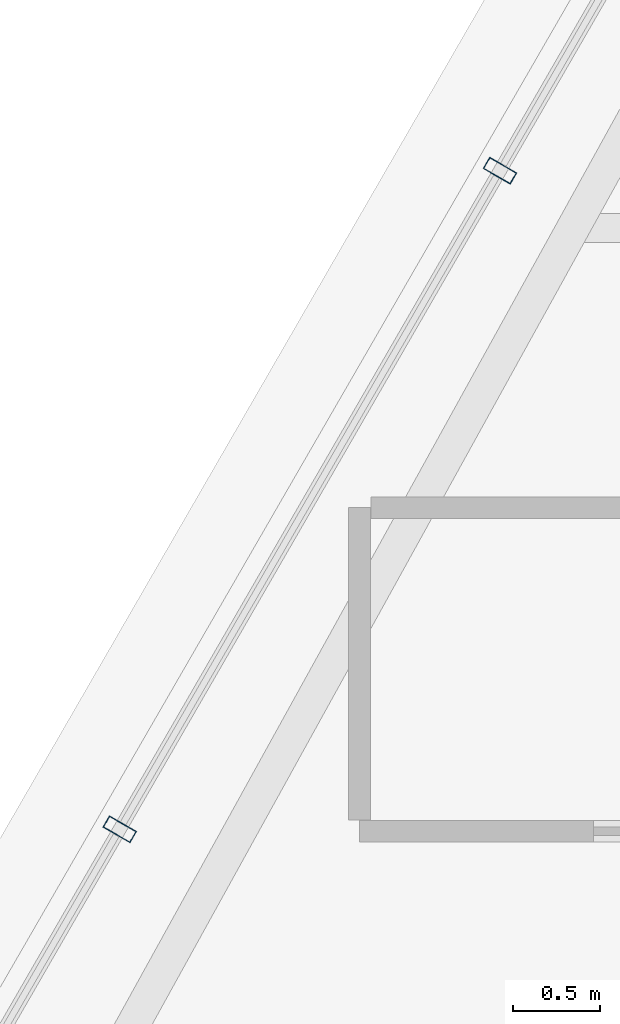
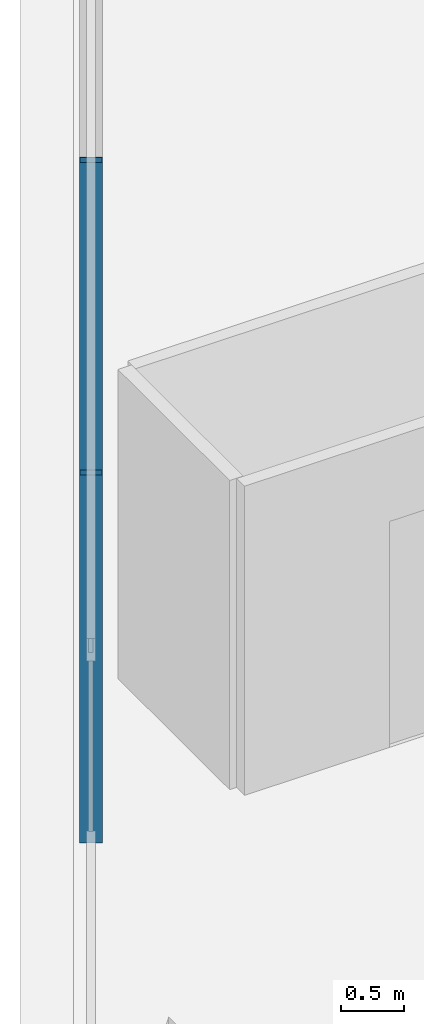
# One storey, part 4 of 29: 2 members, 1 element without a shape of its own.
"""IFC4 building model written with IfcOpenShell, lengths in metres."""

import ifcopenshell
import ifcopenshell.guid

model = None  # the IFC model being written
_history = None  # IfcOwnerHistory: only IFC2X3 demands one
_inside = {}  # id of a spatial element -> (the spatial element, [elements in it])
_under = {}  # id of a project, library or spatial element -> (it, [spatial elements below it])
_declared = {}  # id of a project -> (the project, [libraries it declares])
_typed = {}  # id of a type object -> (the type object, [elements of that type])
_made_of = {}  # id of a material, layer set ... -> (it, [elements and type objects made of it])


def new_model(schema):
    """Start an empty IFC model of exactly this schema.

    Asked for "IFC4X3", IfcOpenShell would pick the latest addendum, in which some entities
    have other attributes; the version numbers below select the first issue.
    IFC2X3 requires an IfcOwnerHistory on every rooted entity: one is made here for all.
    """
    global model, _history
    if schema == "IFC4X3":
        model = ifcopenshell.file(schema_version=(4, 3, 0, 0))
    else:
        model = ifcopenshell.file(schema=schema)
    _inside.clear()
    _under.clear()
    _declared.clear()
    _typed.clear()
    _made_of.clear()
    _history = None
    if model.schema == "IFC2X3":
        org = make("IfcOrganization", Name="unknown")
        user = make(
            "IfcPersonAndOrganization",
            ThePerson=make("IfcPerson", FamilyName="unknown"),
            TheOrganization=org,
        )
        app = make(
            "IfcApplication",
            ApplicationDeveloper=org,
            Version="unknown",
            ApplicationFullName="unknown",
            ApplicationIdentifier="unknown",
        )
        _history = make(
            "IfcOwnerHistory",
            OwningUser=user,
            OwningApplication=app,
            ChangeAction="ADDED",
            CreationDate=0,
        )
    return model


def make(cls, **values):
    """One entity of the class cls with the attributes given. An attribute that is None is left unset."""
    return model.create_entity(
        cls, **{name: value for name, value in values.items() if value is not None}
    )


def rooted(cls, **values):
    """An entity with a GlobalId (a new one), such as an element, a storey or a relation."""
    return make(cls, GlobalId=ifcopenshell.guid.new(), OwnerHistory=_history, **values)


def si_unit(unit_type, name, prefix=None):
    """IfcSIUnit, for example si_unit("LENGTHUNIT", "METRE", prefix="MILLI")."""
    return make("IfcSIUnit", UnitType=unit_type, Prefix=prefix, Name=name)


def assignment(units):
    """IfcUnitAssignment: the units of a project."""
    return None if units is None else make("IfcUnitAssignment", Units=units)


def point(xyz):
    """IfcCartesianPoint."""
    return None if xyz is None else make("IfcCartesianPoint", Coordinates=xyz)


def direction(xyz):
    """IfcDirection."""
    return None if xyz is None else make("IfcDirection", DirectionRatios=xyz)


def frame(location, z_axis=None, x_axis=None):
    """IfcAxis2Placement3D, a coordinate frame: its origin and axes. An axis left out is left unset."""
    return make(
        "IfcAxis2Placement3D",
        Location=point(location),
        Axis=direction(z_axis),
        RefDirection=direction(x_axis),
    )


def frame_2d(location, x_axis=None):
    """IfcAxis2Placement2D, a coordinate frame in the plane: its origin and x axis."""
    return make(
        "IfcAxis2Placement2D", Location=point(location), RefDirection=direction(x_axis)
    )


def origin():
    """The frame at (0, 0, 0) with its axes left unset."""
    return frame((0.0, 0.0, 0.0))


def origin_2d():
    """The frame at (0, 0) in the plane with its x axis left unset."""
    return frame_2d((0.0, 0.0))


def place(relative_to, where):
    """IfcLocalPlacement: puts the frame where relative to a parent placement (None: the world)."""
    return make(
        "IfcLocalPlacement", PlacementRelTo=relative_to, RelativePlacement=where
    )


def context(
    kind, dimensions, precision=None, world=None, true_north=None, identifier=None
):
    """IfcGeometricRepresentationContext, for example the 3D "Model" context."""
    return make(
        "IfcGeometricRepresentationContext",
        ContextIdentifier=identifier,
        ContextType=kind,
        CoordinateSpaceDimension=dimensions,
        Precision=precision,
        WorldCoordinateSystem=world,
        TrueNorth=true_north,
    )


def subcontext(parent, identifier, kind, view, scale=None):
    """IfcGeometricRepresentationSubContext, for example "Body" below "Model"."""
    return make(
        "IfcGeometricRepresentationSubContext",
        ContextIdentifier=identifier,
        ContextType=kind,
        ParentContext=parent,
        TargetScale=scale,
        TargetView=view,
    )


def project(units=None, contexts=None):
    """IfcProject with its units and contexts."""
    return rooted(
        "IfcProject",
        Name="project",
        RepresentationContexts=contexts,
        UnitsInContext=assignment(units),
    )


def spatial(cls, under=None, at=None, **own):
    """A site, building, storey or space (cls), placed at a placement, below another one or the project."""
    s = rooted(cls, ObjectPlacement=at, **own)
    if under is not None:
        _under.setdefault(under.id(), (under, []))[1].append(s)
    return s


def profile(cls, at=None, kind="AREA", **sizes):
    """A parametric profile (cls). Its sizes go by their IFC names, for example OverallWidth=200.0."""
    return make(cls, ProfileType=kind, Position=at, **sizes)


def hollow_rectangle(**sizes):
    """IfcRectangleHollowProfileDef."""
    return profile("IfcRectangleHollowProfileDef", **sizes)


def extrude(swept, where, along, depth):
    """IfcExtrudedAreaSolid: the profile swept, set in the frame where, extruded along a direction by depth."""
    return make(
        "IfcExtrudedAreaSolid",
        SweptArea=swept,
        Position=where,
        ExtrudedDirection=direction(along),
        Depth=depth,
    )


def shape(context_of_items, identifier, shape_type, items):
    """IfcShapeRepresentation: the items that make up one representation, for example the "Body"."""
    return make(
        "IfcShapeRepresentation",
        ContextOfItems=context_of_items,
        RepresentationIdentifier=identifier,
        RepresentationType=shape_type,
        Items=items,
    )


def material(Name=None, Category=None):
    """IfcMaterial."""
    return make("IfcMaterial", Name=Name, Category=Category)


def layer(
    of_material, thickness, ventilated=None, Name=None, Category=None, Priority=None
):
    """IfcMaterialLayer: one layer of a wall or slab, of a material (None: an air gap)."""
    return make(
        "IfcMaterialLayer",
        Material=of_material,
        LayerThickness=thickness,
        IsVentilated=ventilated,
        Name=Name,
        Category=Category,
        Priority=Priority,
    )


def layer_set(layers, Name=None):
    """IfcMaterialLayerSet."""
    return make("IfcMaterialLayerSet", MaterialLayers=layers, LayerSetName=Name)


def material_profile(
    of_material, cross_section, Name=None, Category=None, Priority=None
):
    """IfcMaterialProfile: a cross section and its material."""
    return make(
        "IfcMaterialProfile",
        Name=Name,
        Material=of_material,
        Profile=cross_section,
        Priority=Priority,
        Category=Category,
    )


def profile_set(profiles, Name=None, composite=None):
    """IfcMaterialProfileSet."""
    return make(
        "IfcMaterialProfileSet",
        Name=Name,
        MaterialProfiles=profiles,
        CompositeProfile=composite,
    )


def made_of(thing, what):
    """Note that an element or type object is made of a material, layer set ...; save() writes the relation."""
    if what is not None:
        _made_of.setdefault(what.id(), (what, []))[1].append(thing)
    return thing


def type_object(cls, material=None, **own):
    """A type object (cls), such as IfcWallType, which elements share."""
    return made_of(rooted(cls, **own), material)


def element(
    cls,
    number,
    at=None,
    inside=None,
    cuts=None,
    type_object=None,
    material=None,
    context=None,
    identifier="Body",
    shape_type=None,
    held_by="IfcProductDefinitionShape",
    body=None,
    shapes=None,
    **own,
):
    """One element of the class cls, such as IfcWall. Its Tag is "e" and its number.

    at: its placement. inside: the storey or other place that contains it. cuts: it is an
    opening in that element (IfcRelVoidsElement). A single representation is given by context,
    identifier, shape_type and body (its items); several are given by shapes. held_by: the class
    of the entity that holds the representations. save() writes the other relations.
    """
    e = rooted(cls, Tag="e%d" % number, ObjectPlacement=at, **own)
    if body is not None:
        shapes = [shape(context, identifier, shape_type, body)]
    if shapes is not None:
        e.Representation = make(held_by, Representations=shapes)
    if inside is not None:
        _inside.setdefault(inside.id(), (inside, []))[1].append(e)
    if cuts is not None:
        rooted(
            "IfcRelVoidsElement", RelatingBuildingElement=cuts, RelatedOpeningElement=e
        )
    if type_object is not None:
        _typed.setdefault(type_object.id(), (type_object, []))[1].append(e)
    return made_of(e, material)


def aggregate(whole, parts):
    """IfcRelAggregates: a whole, such as a stair, and the parts it consists of."""
    return rooted("IfcRelAggregates", RelatingObject=whole, RelatedObjects=parts)


def save(model, path):
    """Write the relations noted so far, then the file.

    IfcRelAggregates (storeys below a building ...), IfcRelContainedInSpatialStructure (elements
    in a storey), IfcRelDefinesByType, IfcRelAssociatesMaterial and IfcRelDeclares: one each for
    every whole, place, type object, material and project.
    """
    for whole, parts in _under.values():
        aggregate(whole, parts)
    for where, things in _inside.values():
        rooted(
            "IfcRelContainedInSpatialStructure",
            RelatedElements=things,
            RelatingStructure=where,
        )
    for kind, things in _typed.values():
        rooted("IfcRelDefinesByType", RelatedObjects=things, RelatingType=kind)
    for what, things in _made_of.values():
        rooted("IfcRelAssociatesMaterial", RelatedObjects=things, RelatingMaterial=what)
    for by, libraries in _declared.values():
        rooted("IfcRelDeclares", RelatingContext=by, RelatedDefinitions=libraries)
    model.write(path)


model = new_model("IFC4")

# Units and contexts
model_context = context("Model", 3, precision=1e-05, world=origin(), true_north=direction((0.0, 1.0)))
body_context = subcontext(model_context, "Body", "Model", "MODEL_VIEW")
ifc_project = project(units=[si_unit("LENGTHUNIT", "METRE"), si_unit("AREAUNIT", "SQUARE_METRE"), si_unit("VOLUMEUNIT", "CUBIC_METRE"), si_unit("PLANEANGLEUNIT", "RADIAN"), si_unit("MASSUNIT", "GRAM", prefix="KILO")], contexts=[model_context])

# Site, building, storey
site_placement = place(None, origin())
site = spatial("IfcSite", under=ifc_project, at=site_placement, CompositionType="ELEMENT")
building_placement = place(site_placement, origin())
building = spatial("IfcBuilding", under=site, at=building_placement, Name="Ndaravel Arena Tower", CompositionType="ELEMENT")
storey_placement = place(building_placement, frame((0.0, 0.0, 229.39990234375)))
storey = spatial("IfcBuildingStorey", under=building, at=storey_placement, Name="L55", CompositionType="ELEMENT", Elevation=229.39990234375)

# Curtain wall, members
ifc_material_1 = material(Name="Aluminium", Category="aluminium")
ifc_layer = layer(ifc_material_1, 0.179931640625)
ifc_layer_set = layer_set([ifc_layer], Name="Aluminium")
curtain_wall_type = type_object("IfcCurtainWallType", Name="CW-SYS-03", PredefinedType="NOTDEFINED", material=ifc_layer_set)
curtain_wall_placement = place(storey_placement, origin())
curtain_wall = element("IfcCurtainWall", 1, at=curtain_wall_placement, inside=storey, type_object=curtain_wall_type, Name="L55 Faceted Crystal Curtain Wall CW-L55-E05", PredefinedType="NOTDEFINED")
ifc_material_2 = material(Name="Aluminium", Category="aluminium")
ifc_material_profile = material_profile(ifc_material_2, hollow_rectangle(XDim=0.074951171875, YDim=0.179931640625, WallThickness=0.00390625, at=origin_2d()), Name="CW MULLION 75x180x4")
ifc_profile_set = profile_set([ifc_material_profile], Name="Aluminium")
member_type = type_object("IfcMemberType", Name="MEM-CW-MUL180", PredefinedType="MULLION", material=ifc_profile_set)
member_1_placement = place(storey_placement, frame((23.180419921875, 18.927001953125, 0.0), z_axis=(0.0, 0.0, 1.0), x_axis=(-0.5, -0.866025403784, 0.0)))
member_1 = element("IfcMember", 2, at=member_1_placement, type_object=member_type, Name="CW-L55-E05 Mullion 07", PredefinedType="MULLION", context=body_context, shape_type="SweptSolid", body=[
    extrude(hollow_rectangle(XDim=0.074951171875, YDim=0.179931640625, WallThickness=0.00390625, at=origin_2d()), origin(), (0.0, 0.0, 1.0), 3.580078125),
])
member_2_placement = place(storey_placement, frame((21.006103515625, 15.160888671875, 0.0), z_axis=(0.0, 0.0, 1.0), x_axis=(-0.5, -0.866025403784, 0.0)))
member_2 = element("IfcMember", 3, at=member_2_placement, type_object=member_type, Name="CW-L55-E05 Mullion 08", PredefinedType="MULLION", context=body_context, shape_type="SweptSolid", body=[
    extrude(hollow_rectangle(XDim=0.074951171875, YDim=0.179931640625, WallThickness=0.00390625, at=origin_2d()), origin(), (0.0, 0.0, 1.0), 3.580078125),
])
aggregate(curtain_wall, [member_1, member_2])

save(model, "model.ifc")
